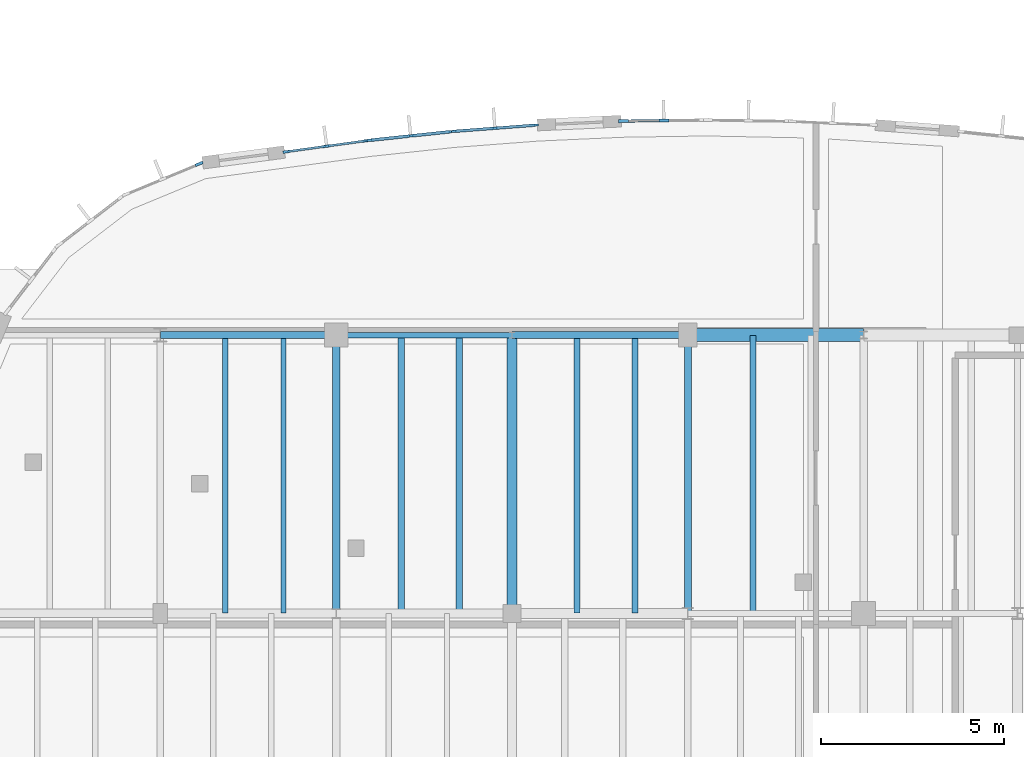
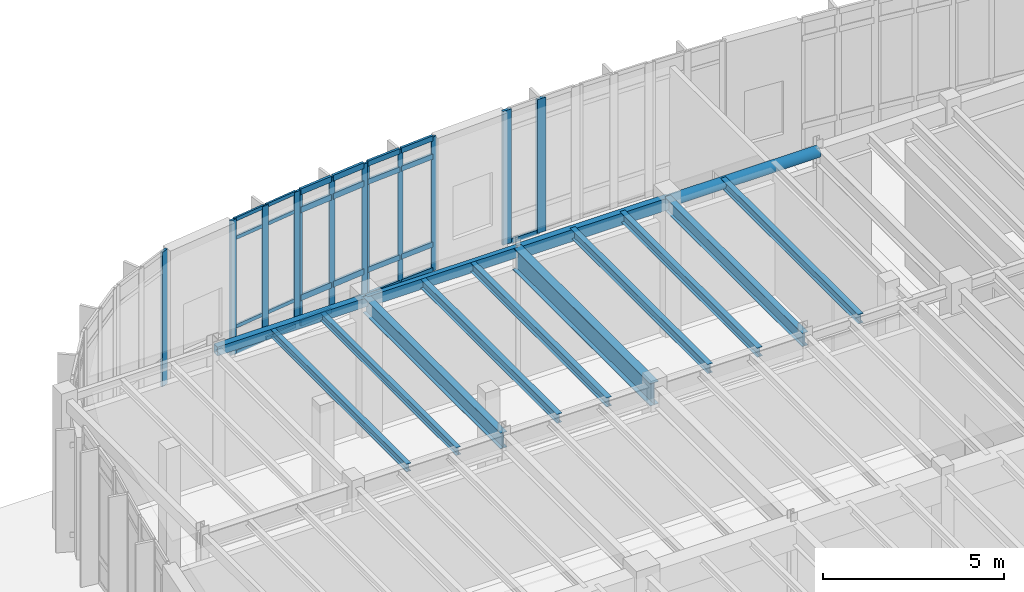
# One storey, part 62 of 120: 37 members, 14 beams, 5 elements without a shape of their own.
"""IFC4 building model written with IfcOpenShell, lengths in metres."""

from ifc_helpers import new_model, si_unit, direction, frame, origin, origin_2d, place, context, subcontext, project, spatial, rectangle, hollow_rectangle, hollow_circle, i_section, extrude, material, material_profile, profile_set, type_object, element, aggregate, save


model = new_model("IFC4")

# Units and contexts
model_context = context("Model", 3, precision=1e-05, world=origin(), true_north=direction((0.0, 1.0)))
body_context = subcontext(model_context, "Body", "Model", "MODEL_VIEW")
ifc_project = project(units=[si_unit("LENGTHUNIT", "METRE"), si_unit("AREAUNIT", "SQUARE_METRE"), si_unit("VOLUMEUNIT", "CUBIC_METRE"), si_unit("PLANEANGLEUNIT", "RADIAN"), si_unit("MASSUNIT", "GRAM", prefix="KILO")], contexts=[model_context])

# Site, building, storey
site_placement = place(None, origin())
site = spatial("IfcSite", under=ifc_project, at=site_placement, CompositionType="ELEMENT")
building_placement = place(site_placement, origin())
building = spatial("IfcBuilding", under=site, at=building_placement, Name="Corveleigh Park Community Centre", CompositionType="ELEMENT")
storey_placement = place(building_placement, origin())
storey = spatial("IfcBuildingStorey", under=building, at=storey_placement, Name="L00", CompositionType="ELEMENT", Elevation=0.0)

# Beams
ifc_material_1 = material(Name="Steel S355", Category="steel")
ifc_material_profile_1 = material_profile(ifc_material_1, i_section(OverallWidth=0.147216796875, OverallDepth=0.259521484375, WebThickness=0.007080078125, FlangeThickness=0.0126953125, at=origin_2d()), Name="UKB 254x146x43", Category="steel")
ifc_profile_set_1 = profile_set([ifc_material_profile_1], Name="Steel S355")
beam_type_1 = type_object("IfcBeamType", Name="BM-STL-UKB254x43", PredefinedType="JOIST", material=ifc_profile_set_1)
for number, where, z_axis, x_axis, name in (
    (1, (136.3759765625, 96.60498046875, 4.397216796875), (0.0, 1.0, 0.0), (-1.0, 0.0, 0.0), "Secondary floor joist"),
    (2, (137.9599609375, 96.60498046875, 4.397216796875), (0.0, 1.0, 0.0), (-1.0, 0.0, 0.0), "Secondary floor joist"),
):
    element("IfcBeam", number, at=place(storey_placement, frame(where, z_axis=z_axis, x_axis=x_axis)), inside=storey, type_object=beam_type_1, Name=name, PredefinedType="JOIST", context=body_context, shape_type="SweptSolid", body=[
        extrude(i_section(OverallWidth=0.147216796875, OverallDepth=0.259521484375, WebThickness=0.007080078125, FlangeThickness=0.0126953125, at=origin_2d()), origin(), (0.0, 0.0, 1.0), 7.590087890625),
    ])
ifc_material_profile_2 = material_profile(ifc_material_1, i_section(OverallWidth=0.1650390625, OverallDepth=0.303466796875, WebThickness=0.006103515625, FlangeThickness=0.01025390625, at=origin_2d()), Name="UKB 305x165x40", Category="steel")
ifc_profile_set_2 = profile_set([ifc_material_profile_2], Name="Steel S355")
beam_type_2 = type_object("IfcBeamType", Name="BM-STL-UKB305x40", PredefinedType="JOIST", material=ifc_profile_set_2)
for number, where, z_axis, x_axis, name in (
    (3, (141.176025390625, 96.60498046875, 4.375244140625), (0.0, 1.0, 0.0), (-1.0, 0.0, 0.0), "Secondary floor joist"),
    (4, (142.760009765625, 96.60498046875, 4.375244140625), (0.0, 1.0, 0.0), (-1.0, 0.0, 0.0), "Secondary floor joist"),
):
    element("IfcBeam", number, at=place(storey_placement, frame(where, z_axis=z_axis, x_axis=x_axis)), inside=storey, type_object=beam_type_2, Name=name, PredefinedType="JOIST", context=body_context, shape_type="SweptSolid", body=[
        extrude(i_section(OverallWidth=0.1650390625, OverallDepth=0.303466796875, WebThickness=0.006103515625, FlangeThickness=0.01025390625, at=origin_2d()), origin(), (0.0, 0.0, 1.0), 7.590087890625),
    ])
ifc_material_profile_3 = material_profile(ifc_material_1, i_section(OverallWidth=0.165771484375, OverallDepth=0.306640625, WebThickness=0.006591796875, FlangeThickness=0.01171875, at=origin_2d()), Name="UKB 305x165x46", Category="steel")
ifc_profile_set_3 = profile_set([ifc_material_profile_3], Name="Steel S355")
beam_type_3 = type_object("IfcBeamType", Name="BM-STL-UKB305x46", PredefinedType="JOIST", material=ifc_profile_set_3)
for number, where, z_axis, x_axis, name in (
    (5, (145.97607421875, 96.60498046875, 4.373779296875), (0.0, 1.0, 0.0), (-1.0, 0.0, 0.0), "Secondary floor joist"),
    (6, (147.56005859375, 96.60498046875, 4.373779296875), (0.0, 1.0, 0.0), (-1.0, 0.0, 0.0), "Secondary floor joist"),
):
    element("IfcBeam", number, at=place(storey_placement, frame(where, z_axis=z_axis, x_axis=x_axis)), inside=storey, type_object=beam_type_3, Name=name, PredefinedType="JOIST", context=body_context, shape_type="SweptSolid", body=[
        extrude(i_section(OverallWidth=0.165771484375, OverallDepth=0.306640625, WebThickness=0.006591796875, FlangeThickness=0.01171875, at=origin_2d()), origin(), (0.0, 0.0, 1.0), 7.590087890625),
    ])
ifc_material_profile_4 = material_profile(ifc_material_1, i_section(OverallWidth=0.1669921875, OverallDepth=0.310302734375, WebThickness=0.0078125, FlangeThickness=0.013671875, at=origin_2d()), Name="UKB 305x165x54", Category="steel")
ifc_profile_set_4 = profile_set([ifc_material_profile_4], Name="Steel S355")
beam_type_4 = type_object("IfcBeamType", Name="BM-STL-UKB305x54", PredefinedType="JOIST", material=ifc_profile_set_4)
beam_1_placement = place(storey_placement, frame((150.77587890625, 96.60498046875, 4.371826171875), z_axis=(0.0, 1.0, 0.0), x_axis=(-1.0, 0.0, 0.0)))
element("IfcBeam", 7, at=beam_1_placement, inside=storey, type_object=beam_type_4, Name="Secondary floor joist", PredefinedType="JOIST", context=body_context, shape_type="SweptSolid", body=[
    extrude(i_section(OverallWidth=0.1669921875, OverallDepth=0.310302734375, WebThickness=0.0078125, FlangeThickness=0.013671875, at=origin_2d()), origin(), (0.0, 0.0, 1.0), 7.590087890625),
])
ifc_material_profile_5 = material_profile(ifc_material_1, i_section(OverallWidth=0.18994140625, OverallDepth=0.453369140625, WebThickness=0.008544921875, FlangeThickness=0.0126953125, at=origin_2d()), Name="UKB 457x191x67", Category="steel")
ifc_profile_set_5 = profile_set([ifc_material_profile_5], Name="Steel S355")
beam_type_5 = type_object("IfcBeamType", Name="BM-STL-UKB457x67", PredefinedType="BEAM", material=ifc_profile_set_5)
beam_2_placement = place(storey_placement, frame((149.0, 96.60498046875, 4.30029296875), z_axis=(0.0, 1.0, 0.0), x_axis=(-1.0, 0.0, 0.0)))
element("IfcBeam", 8, at=beam_2_placement, inside=storey, type_object=beam_type_5, Name="V4 Girder Y", PredefinedType="BEAM", context=body_context, shape_type="SweptSolid", body=[
    extrude(i_section(OverallWidth=0.18994140625, OverallDepth=0.453369140625, WebThickness=0.008544921875, FlangeThickness=0.0126953125, at=origin_2d()), origin(), (0.0, 0.0, 1.0), 7.590087890625),
])
ifc_material_profile_6 = material_profile(ifc_material_1, i_section(OverallWidth=0.2099609375, OverallDepth=0.53662109375, WebThickness=0.0107421875, FlangeThickness=0.017333984375, at=origin_2d()), Name="UKB 533x210x101", Category="steel")
ifc_profile_set_6 = profile_set([ifc_material_profile_6], Name="Steel S355")
beam_type_6 = type_object("IfcBeamType", Name="BM-STL-UKB533x101", PredefinedType="BEAM", material=ifc_profile_set_6)
beam_3_placement = place(storey_placement, frame((139.39990234375, 96.60498046875, 4.2587890625), z_axis=(0.0, 1.0, 0.0), x_axis=(-1.0, 0.0, 0.0)))
element("IfcBeam", 9, at=beam_3_placement, inside=storey, type_object=beam_type_6, Name="V4 Girder Y", PredefinedType="BEAM", context=body_context, shape_type="SweptSolid", body=[
    extrude(i_section(OverallWidth=0.2099609375, OverallDepth=0.53662109375, WebThickness=0.0107421875, FlangeThickness=0.017333984375, at=origin_2d()), origin(), (0.0, 0.0, 1.0), 7.590087890625),
])
ifc_material_profile_7 = material_profile(ifc_material_1, i_section(OverallWidth=0.2666015625, OverallDepth=0.76220703125, WebThickness=0.014404296875, FlangeThickness=0.021484375, at=origin_2d()), Name="UKB 762x267x173", Category="steel")
ifc_profile_set_7 = profile_set([ifc_material_profile_7], Name="Steel S355")
beam_type_7 = type_object("IfcBeamType", Name="BM-STL-UKB762x173", PredefinedType="BEAM", material=ifc_profile_set_7)
beam_4_placement = place(storey_placement, frame((144.199951171875, 96.60498046875, 4.14599609375), z_axis=(0.0, 1.0, 0.0), x_axis=(-1.0, 0.0, 0.0)))
element("IfcBeam", 10, at=beam_4_placement, inside=storey, type_object=beam_type_7, Name="V4 Girder Y", PredefinedType="BEAM", context=body_context, shape_type="SweptSolid", body=[
    extrude(i_section(OverallWidth=0.2666015625, OverallDepth=0.76220703125, WebThickness=0.014404296875, FlangeThickness=0.021484375, at=origin_2d()), origin(), (0.0, 0.0, 1.0), 7.590087890625),
])

# Curtain wall, members
ifc_material_2 = material(Name="Anodised aluminium 6063-T6", Category="aluminium")
curtain_wall_type = type_object("IfcCurtainWallType", Name="CW-SYS-V4-L00", PredefinedType="NOTDEFINED", material=ifc_material_2)
curtain_wall_1_placement = place(storey_placement, origin())
curtain_wall_1 = element("IfcCurtainWall", 11, at=curtain_wall_1_placement, inside=storey, type_object=curtain_wall_type, Name="V4 L00 Curtain Wall 139", PredefinedType="NOTDEFINED")
ifc_material_profile_8 = material_profile(ifc_material_2, rectangle(XDim=0.06005859375, YDim=0.159912109375, at=origin_2d()), Name="ALU-M60x160", Category="aluminium")
ifc_profile_set_8 = profile_set([ifc_material_profile_8], Name="Anodised aluminium 6063-T6")
member_type_1 = type_object("IfcMemberType", Name="CWM-60x160", PredefinedType="MULLION", material=ifc_profile_set_8)
member_1_placement = place(storey_placement, frame((142.621826171875, 109.76318359375, 0.0), z_axis=(0.0, 0.0, 1.0), x_axis=(-0.075527958586, 0.997143684467, 0.0)))
member_1 = element("IfcMember", 12, at=member_1_placement, type_object=member_type_1, Name="CW07 mullion 1", PredefinedType="MULLION", context=body_context, shape_type="SweptSolid", body=[
    extrude(rectangle(XDim=0.06005859375, YDim=0.159912109375, at=origin_2d()), origin(), (0.0, 0.0, 1.0), 4.511962890625),
])
member_2_placement = place(storey_placement, frame((143.73388671875, 109.847412109375, 0.0), z_axis=(0.0, 0.0, 1.0), x_axis=(-0.075527958586, 0.997143684467, 0.0)))
member_2 = element("IfcMember", 13, at=member_2_placement, type_object=member_type_1, Name="CW07 mullion 2", PredefinedType="MULLION", context=body_context, shape_type="SweptSolid", body=[
    extrude(rectangle(XDim=0.06005859375, YDim=0.159912109375, at=origin_2d()), origin(), (0.0, 0.0, 1.0), 4.511962890625),
])
member_3_placement = place(storey_placement, frame((144.84619140625, 109.931640625, 0.0), z_axis=(0.0, 0.0, 1.0), x_axis=(-0.075527958586, 0.997143684467, 0.0)))
member_3 = element("IfcMember", 14, at=member_3_placement, type_object=member_type_1, Name="CW07 mullion 3", PredefinedType="MULLION", context=body_context, shape_type="SweptSolid", body=[
    extrude(rectangle(XDim=0.06005859375, YDim=0.159912109375, at=origin_2d()), origin(), (0.0, 0.0, 1.0), 4.511962890625),
])

curtain_wall_2_placement = place(storey_placement, origin())
curtain_wall_2 = element("IfcCurtainWall", 15, at=curtain_wall_2_placement, inside=storey, type_object=curtain_wall_type, Name="V4 L00 Curtain Wall 140", PredefinedType="NOTDEFINED")
ifc_material_profile_9 = material_profile(ifc_material_2, rectangle(XDim=0.06494140625, YDim=0.179931640625, at=origin_2d()), Name="ALU-M65x180", Category="aluminium")
ifc_profile_set_9 = profile_set([ifc_material_profile_9], Name="Anodised aluminium 6063-T6")
member_type_2 = type_object("IfcMemberType", Name="CWM-65x180", PredefinedType="MULLION", material=ifc_profile_set_9)
member_4_placement = place(storey_placement, frame((140.328369140625, 109.51953125, 0.0), z_axis=(0.0, 0.0, 1.0), x_axis=(-0.106070735992, 0.994358586711, 0.0)))
member_4 = element("IfcMember", 16, at=member_4_placement, type_object=member_type_2, Name="CW07 mullion 1", PredefinedType="MULLION", context=body_context, shape_type="SweptSolid", body=[
    extrude(rectangle(XDim=0.06494140625, YDim=0.179931640625, at=origin_2d()), origin(), (0.0, 0.0, 1.0), 4.511962890625),
])
member_5_placement = place(storey_placement, frame((141.43505859375, 109.637451171875, 0.0), z_axis=(0.0, 0.0, 1.0), x_axis=(-0.106070735992, 0.994358586711, 0.0)))
member_5 = element("IfcMember", 17, at=member_5_placement, type_object=member_type_2, Name="CW07 mullion 2", PredefinedType="MULLION", context=body_context, shape_type="SweptSolid", body=[
    extrude(rectangle(XDim=0.06494140625, YDim=0.179931640625, at=origin_2d()), origin(), (0.0, 0.0, 1.0), 4.511962890625),
])
member_6_placement = place(storey_placement, frame((142.541748046875, 109.755615234375, 0.0), z_axis=(0.0, 0.0, 1.0), x_axis=(-0.106070735992, 0.994358586711, 0.0)))
member_6 = element("IfcMember", 18, at=member_6_placement, type_object=member_type_2, Name="CW07 mullion 3", PredefinedType="MULLION", context=body_context, shape_type="SweptSolid", body=[
    extrude(rectangle(XDim=0.06494140625, YDim=0.179931640625, at=origin_2d()), origin(), (0.0, 0.0, 1.0), 4.511962890625),
])

curtain_wall_3_placement = place(storey_placement, origin())
curtain_wall_3 = element("IfcCurtainWall", 19, at=curtain_wall_3_placement, inside=storey, type_object=curtain_wall_type, Name="V4 L00 Curtain Wall 141", PredefinedType="NOTDEFINED")
ifc_material_profile_10 = material_profile(ifc_material_2, rectangle(XDim=0.070068359375, YDim=0.199951171875, at=origin_2d()), Name="ALU-M70x200", Category="aluminium")
ifc_profile_set_10 = profile_set([ifc_material_profile_10], Name="Anodised aluminium 6063-T6")
member_type_3 = type_object("IfcMemberType", Name="CWM-70x200", PredefinedType="MULLION", material=ifc_profile_set_10)
member_7_placement = place(storey_placement, frame((138.041748046875, 109.205810546875, 0.0), z_axis=(0.0, 0.0, 1.0), x_axis=(-0.136534069852, 0.990635375791, 0.0)))
member_7 = element("IfcMember", 20, at=member_7_placement, type_object=member_type_3, Name="CW07 mullion 1", PredefinedType="MULLION", context=body_context, shape_type="SweptSolid", body=[
    extrude(rectangle(XDim=0.070068359375, YDim=0.199951171875, at=origin_2d()), origin(), (0.0, 0.0, 1.0), 4.537109375),
])
member_8_placement = place(storey_placement, frame((139.142578125, 109.357421875, 0.0), z_axis=(0.0, 0.0, 1.0), x_axis=(-0.136534069852, 0.990635375791, 0.0)))
member_8 = element("IfcMember", 21, at=member_8_placement, type_object=member_type_3, Name="CW07 mullion 2", PredefinedType="MULLION", context=body_context, shape_type="SweptSolid", body=[
    extrude(rectangle(XDim=0.070068359375, YDim=0.199951171875, at=origin_2d()), origin(), (0.0, 0.0, 1.0), 4.537109375),
])
member_9_placement = place(storey_placement, frame((140.243408203125, 109.50927734375, 0.0), z_axis=(0.0, 0.0, 1.0), x_axis=(-0.136534069852, 0.990635375791, 0.0)))
member_9 = element("IfcMember", 22, at=member_9_placement, type_object=member_type_3, Name="CW07 mullion 3", PredefinedType="MULLION", context=body_context, shape_type="SweptSolid", body=[
    extrude(rectangle(XDim=0.070068359375, YDim=0.199951171875, at=origin_2d()), origin(), (0.0, 0.0, 1.0), 4.537109375),
])

# Curtain wall, member
curtain_wall_4_placement = place(storey_placement, origin())
curtain_wall_4 = element("IfcCurtainWall", 23, at=curtain_wall_4_placement, inside=storey, type_object=curtain_wall_type, Name="V4 L00 Curtain Wall 142", PredefinedType="NOTDEFINED")
ifc_material_profile_11 = material_profile(ifc_material_2, rectangle(XDim=0.074951171875, YDim=0.219970703125, at=origin_2d()), Name="ALU-M75x220", Category="aluminium")
ifc_profile_set_11 = profile_set([ifc_material_profile_11], Name="Anodised aluminium 6063-T6")
member_type_4 = type_object("IfcMemberType", Name="CWM-75x220", PredefinedType="MULLION", material=ifc_profile_set_11)
member_10_placement = place(storey_placement, frame((135.657470703125, 108.87353515625, 0.0), z_axis=(0.0, 0.0, 1.0), x_axis=(-0.383024346152, 0.923738247695, 0.0)))
member_10 = element("IfcMember", 24, at=member_10_placement, type_object=member_type_4, Name="CW07 mullion 3", PredefinedType="MULLION", context=body_context, shape_type="SweptSolid", body=[
    extrude(rectangle(XDim=0.074951171875, YDim=0.219970703125, at=origin_2d()), origin(), (0.0, 0.0, 1.0), 4.537109375),
])
aggregate(curtain_wall_4, [member_10])

# Curtain wall, members
curtain_wall_5_placement = place(storey_placement, origin())
curtain_wall_5 = element("IfcCurtainWall", 25, at=curtain_wall_5_placement, inside=storey, type_object=curtain_wall_type, Name="V4 L00 Curtain Wall 138", PredefinedType="NOTDEFINED")
ifc_material_profile_12 = material_profile(ifc_material_2, rectangle(XDim=0.0849609375, YDim=0.27490234375, at=origin_2d()), Name="ALU-M85x275", Category="aluminium")
ifc_profile_set_12 = profile_set([ifc_material_profile_12], Name="Anodised aluminium 6063-T6")
member_type_5 = type_object("IfcMemberType", Name="CWM-85x275", PredefinedType="MULLION", material=ifc_profile_set_12)
member_11_placement = place(storey_placement, frame((147.242431640625, 110.040771484375, 0.0), z_axis=(0.0, 0.0, 1.0), x_axis=(-0.01571172252, 0.999876563269, 0.0)))
member_11 = element("IfcMember", 26, at=member_11_placement, type_object=member_type_5, Name="CW07 mullion 1", PredefinedType="MULLION", context=body_context, shape_type="SweptSolid", body=[
    extrude(rectangle(XDim=0.0849609375, YDim=0.27490234375, at=origin_2d()), origin(), (0.0, 0.0, 1.0), 4.511962890625),
])
member_12_placement = place(storey_placement, frame((148.345458984375, 110.05810546875, 0.0), z_axis=(0.0, 0.0, 1.0), x_axis=(-0.01571172252, 0.999876563269, 0.0)))
member_12 = element("IfcMember", 27, at=member_12_placement, type_object=member_type_5, Name="CW07 mullion 2", PredefinedType="MULLION", context=body_context, shape_type="SweptSolid", body=[
    extrude(rectangle(XDim=0.0849609375, YDim=0.27490234375, at=origin_2d()), origin(), (0.0, 0.0, 1.0), 4.511962890625),
])

# Member
ifc_material_profile_13 = material_profile(ifc_material_2, rectangle(XDim=0.06005859375, YDim=0.1201171875, at=origin_2d()), Name="ALU-T60x120", Category="aluminium")
ifc_profile_set_13 = profile_set([ifc_material_profile_13], Name="Anodised aluminium 6063-T6")
member_type_6 = type_object("IfcMemberType", Name="CWT-60x120", PredefinedType="USERDEFINED", material=ifc_profile_set_13)
member_13_placement = place(storey_placement, frame((138.076416015625, 109.21044921875, 0.030029296875), z_axis=(0.990613467229, 0.136692935241, 0.0), x_axis=(-0.136692935241, 0.990613467229, 0.0)))
member_13 = element("IfcMember", 28, at=member_13_placement, type_object=member_type_6, Name="CW07 transom 1.1", ObjectType="TRANSOM", PredefinedType="USERDEFINED", context=body_context, shape_type="SweptSolid", body=[
    extrude(rectangle(XDim=0.06005859375, YDim=0.1201171875, at=origin_2d()), origin(), (0.0, 0.0, 1.0), 1.041259765625),
])

member_14_placement = place(storey_placement, frame((138.076416015625, 109.21044921875, 0.89990234375), z_axis=(0.990613467229, 0.136692935241, 0.0), x_axis=(-0.136692935241, 0.990613467229, 0.0)))
member_14 = element("IfcMember", 29, at=member_14_placement, type_object=member_type_6, Name="CW07 transom 1.2", ObjectType="TRANSOM", PredefinedType="USERDEFINED", context=body_context, shape_type="SweptSolid", body=[
    extrude(rectangle(XDim=0.06005859375, YDim=0.1201171875, at=origin_2d()), origin(), (0.0, 0.0, 1.0), 1.041259765625),
])

member_15_placement = place(storey_placement, frame((138.076416015625, 109.21044921875, 3.886962890625), z_axis=(0.990613467229, 0.136692935241, 0.0), x_axis=(-0.136692935241, 0.990613467229, 0.0)))
member_15 = element("IfcMember", 30, at=member_15_placement, type_object=member_type_6, Name="CW07 transom 1.3", ObjectType="TRANSOM", PredefinedType="USERDEFINED", context=body_context, shape_type="SweptSolid", body=[
    extrude(rectangle(XDim=0.06005859375, YDim=0.1201171875, at=origin_2d()), origin(), (0.0, 0.0, 1.0), 1.041259765625),
])

member_16_placement = place(storey_placement, frame((138.076416015625, 109.21044921875, 4.507080078125), z_axis=(0.990613467229, 0.136692935241, 0.0), x_axis=(-0.136692935241, 0.990613467229, 0.0)))
member_16 = element("IfcMember", 31, at=member_16_placement, type_object=member_type_6, Name="CW07 transom 1.4", ObjectType="TRANSOM", PredefinedType="USERDEFINED", context=body_context, shape_type="SweptSolid", body=[
    extrude(rectangle(XDim=0.06005859375, YDim=0.1201171875, at=origin_2d()), origin(), (0.0, 0.0, 1.0), 1.041259765625),
])

member_17_placement = place(storey_placement, frame((139.17724609375, 109.3623046875, 0.030029296875), z_axis=(0.99064519036, 0.136462840424, 0.0), x_axis=(-0.136462840424, 0.99064519036, 0.0)))
member_17 = element("IfcMember", 32, at=member_17_placement, type_object=member_type_6, Name="CW07 transom 2.1", ObjectType="TRANSOM", PredefinedType="USERDEFINED", context=body_context, shape_type="SweptSolid", body=[
    extrude(rectangle(XDim=0.06005859375, YDim=0.1201171875, at=origin_2d()), origin(), (0.0, 0.0, 1.0), 1.041259765625),
])

member_18_placement = place(storey_placement, frame((139.17724609375, 109.3623046875, 0.89990234375), z_axis=(0.99064519036, 0.136462840424, 0.0), x_axis=(-0.136462840424, 0.99064519036, 0.0)))
member_18 = element("IfcMember", 33, at=member_18_placement, type_object=member_type_6, Name="CW07 transom 2.2", ObjectType="TRANSOM", PredefinedType="USERDEFINED", context=body_context, shape_type="SweptSolid", body=[
    extrude(rectangle(XDim=0.06005859375, YDim=0.1201171875, at=origin_2d()), origin(), (0.0, 0.0, 1.0), 1.041259765625),
])

member_19_placement = place(storey_placement, frame((139.17724609375, 109.3623046875, 3.886962890625), z_axis=(0.99064519036, 0.136462840424, 0.0), x_axis=(-0.136462840424, 0.99064519036, 0.0)))
member_19 = element("IfcMember", 34, at=member_19_placement, type_object=member_type_6, Name="CW07 transom 2.3", ObjectType="TRANSOM", PredefinedType="USERDEFINED", context=body_context, shape_type="SweptSolid", body=[
    extrude(rectangle(XDim=0.06005859375, YDim=0.1201171875, at=origin_2d()), origin(), (0.0, 0.0, 1.0), 1.041259765625),
])

member_20_placement = place(storey_placement, frame((139.17724609375, 109.3623046875, 4.507080078125), z_axis=(0.99064519036, 0.136462840424, 0.0), x_axis=(-0.136462840424, 0.99064519036, 0.0)))
member_20 = element("IfcMember", 35, at=member_20_placement, type_object=member_type_6, Name="CW07 transom 2.4", ObjectType="TRANSOM", PredefinedType="USERDEFINED", context=body_context, shape_type="SweptSolid", body=[
    extrude(rectangle(XDim=0.06005859375, YDim=0.1201171875, at=origin_2d()), origin(), (0.0, 0.0, 1.0), 1.041259765625),
])

aggregate(curtain_wall_3, [member_7, member_8, member_9, member_13, member_14, member_15, member_16, member_17, member_18, member_19, member_20])

ifc_material_profile_14 = material_profile(ifc_material_2, rectangle(XDim=0.070068359375, YDim=0.155029296875, at=origin_2d()), Name="ALU-T70x155", Category="aluminium")
ifc_profile_set_14 = profile_set([ifc_material_profile_14], Name="Anodised aluminium 6063-T6")
member_type_7 = type_object("IfcMemberType", Name="CWT-70x155", PredefinedType="USERDEFINED", material=ifc_profile_set_14)
member_21_placement = place(storey_placement, frame((147.284912109375, 110.041259765625, 0.034912109375), z_axis=(0.999874771211, 0.015825356091, 0.0), x_axis=(-0.015825356091, 0.999874771211, 0.0)))
member_21 = element("IfcMember", 36, at=member_21_placement, type_object=member_type_7, Name="CW07 transom 1.1", ObjectType="TRANSOM", PredefinedType="USERDEFINED", context=body_context, shape_type="SweptSolid", body=[
    extrude(rectangle(XDim=0.070068359375, YDim=0.155029296875, at=origin_2d()), origin(), (0.0, 0.0, 1.0), 1.018310546875),
])

aggregate(curtain_wall_5, [member_11, member_12, member_21])

ifc_material_profile_15 = material_profile(ifc_material_2, rectangle(XDim=0.074951171875, YDim=0.175048828125, at=origin_2d()), Name="ALU-T75x175", Category="aluminium")
ifc_profile_set_15 = profile_set([ifc_material_profile_15], Name="Anodised aluminium 6063-T6")
member_type_8 = type_object("IfcMemberType", Name="CWT-75x175", PredefinedType="USERDEFINED", material=ifc_profile_set_15)
member_22_placement = place(storey_placement, frame((142.65185546875, 109.765625, 0.03759765625), z_axis=(0.997151658573, 0.07542260805, 0.0), x_axis=(-0.07542260805, 0.997151658573, 0.0)))
member_22 = element("IfcMember", 37, at=member_22_placement, type_object=member_type_8, Name="CW07 transom 1.1", ObjectType="TRANSOM", PredefinedType="USERDEFINED", context=body_context, shape_type="SweptSolid", body=[
    extrude(rectangle(XDim=0.074951171875, YDim=0.175048828125, at=origin_2d()), origin(), (0.0, 0.0, 1.0), 1.05517578125),
])

member_23_placement = place(storey_placement, frame((142.65185546875, 109.765625, 0.89990234375), z_axis=(0.997151658573, 0.07542260805, 0.0), x_axis=(-0.07542260805, 0.997151658573, 0.0)))
member_23 = element("IfcMember", 38, at=member_23_placement, type_object=member_type_8, Name="CW07 transom 1.2", ObjectType="TRANSOM", PredefinedType="USERDEFINED", context=body_context, shape_type="SweptSolid", body=[
    extrude(rectangle(XDim=0.074951171875, YDim=0.175048828125, at=origin_2d()), origin(), (0.0, 0.0, 1.0), 1.05517578125),
])

member_24_placement = place(storey_placement, frame((142.65185546875, 109.765625, 3.862060546875), z_axis=(0.997151658573, 0.07542260805, 0.0), x_axis=(-0.07542260805, 0.997151658573, 0.0)))
member_24 = element("IfcMember", 39, at=member_24_placement, type_object=member_type_8, Name="CW07 transom 1.3", ObjectType="TRANSOM", PredefinedType="USERDEFINED", context=body_context, shape_type="SweptSolid", body=[
    extrude(rectangle(XDim=0.074951171875, YDim=0.175048828125, at=origin_2d()), origin(), (0.0, 0.0, 1.0), 1.05517578125),
])

member_25_placement = place(storey_placement, frame((142.65185546875, 109.765625, 4.474609375), z_axis=(0.997151658573, 0.07542260805, 0.0), x_axis=(-0.07542260805, 0.997151658573, 0.0)))
member_25 = element("IfcMember", 40, at=member_25_placement, type_object=member_type_8, Name="CW07 transom 1.4", ObjectType="TRANSOM", PredefinedType="USERDEFINED", context=body_context, shape_type="SweptSolid", body=[
    extrude(rectangle(XDim=0.074951171875, YDim=0.175048828125, at=origin_2d()), origin(), (0.0, 0.0, 1.0), 1.05517578125),
])

member_26_placement = place(storey_placement, frame((143.763916015625, 109.849853515625, 0.03759765625), z_axis=(0.997151658573, 0.07542260805, 0.0), x_axis=(-0.07542260805, 0.997151658573, 0.0)))
member_26 = element("IfcMember", 41, at=member_26_placement, type_object=member_type_8, Name="CW07 transom 2.1", ObjectType="TRANSOM", PredefinedType="USERDEFINED", context=body_context, shape_type="SweptSolid", body=[
    extrude(rectangle(XDim=0.074951171875, YDim=0.175048828125, at=origin_2d()), origin(), (0.0, 0.0, 1.0), 1.05517578125),
])

member_27_placement = place(storey_placement, frame((143.763916015625, 109.849853515625, 0.89990234375), z_axis=(0.997151658573, 0.07542260805, 0.0), x_axis=(-0.07542260805, 0.997151658573, 0.0)))
member_27 = element("IfcMember", 42, at=member_27_placement, type_object=member_type_8, Name="CW07 transom 2.2", ObjectType="TRANSOM", PredefinedType="USERDEFINED", context=body_context, shape_type="SweptSolid", body=[
    extrude(rectangle(XDim=0.074951171875, YDim=0.175048828125, at=origin_2d()), origin(), (0.0, 0.0, 1.0), 1.05517578125),
])

member_28_placement = place(storey_placement, frame((143.763916015625, 109.849853515625, 3.862060546875), z_axis=(0.997151658573, 0.07542260805, 0.0), x_axis=(-0.07542260805, 0.997151658573, 0.0)))
member_28 = element("IfcMember", 43, at=member_28_placement, type_object=member_type_8, Name="CW07 transom 2.3", ObjectType="TRANSOM", PredefinedType="USERDEFINED", context=body_context, shape_type="SweptSolid", body=[
    extrude(rectangle(XDim=0.074951171875, YDim=0.175048828125, at=origin_2d()), origin(), (0.0, 0.0, 1.0), 1.05517578125),
])

member_29_placement = place(storey_placement, frame((143.763916015625, 109.849853515625, 4.474609375), z_axis=(0.997151658573, 0.07542260805, 0.0), x_axis=(-0.07542260805, 0.997151658573, 0.0)))
member_29 = element("IfcMember", 44, at=member_29_placement, type_object=member_type_8, Name="CW07 transom 2.4", ObjectType="TRANSOM", PredefinedType="USERDEFINED", context=body_context, shape_type="SweptSolid", body=[
    extrude(rectangle(XDim=0.074951171875, YDim=0.175048828125, at=origin_2d()), origin(), (0.0, 0.0, 1.0), 1.05517578125),
])

aggregate(curtain_wall_1, [member_1, member_2, member_3, member_22, member_23, member_24, member_25, member_26, member_27, member_28, member_29])

ifc_material_profile_16 = material_profile(ifc_material_2, rectangle(XDim=0.080078125, YDim=0.195068359375, at=origin_2d()), Name="ALU-T80x195", Category="aluminium")
ifc_profile_set_16 = profile_set([ifc_material_profile_16], Name="Anodised aluminium 6063-T6")
member_type_9 = type_object("IfcMemberType", Name="CWT-80x195", PredefinedType="USERDEFINED", material=ifc_profile_set_16)
member_30_placement = place(storey_placement, frame((140.360595703125, 109.52294921875, 0.0400390625), z_axis=(0.994365423695, 0.106006623191, 0.0), x_axis=(-0.106006623191, 0.994365423695, 0.0)))
member_30 = element("IfcMember", 45, at=member_30_placement, type_object=member_type_9, Name="CW07 transom 1.1", ObjectType="TRANSOM", PredefinedType="USERDEFINED", context=body_context, shape_type="SweptSolid", body=[
    extrude(rectangle(XDim=0.080078125, YDim=0.195068359375, at=origin_2d()), origin(), (0.0, 0.0, 1.0), 1.0478515625),
])

member_31_placement = place(storey_placement, frame((140.360595703125, 109.52294921875, 0.89990234375), z_axis=(0.994365423695, 0.106006623191, 0.0), x_axis=(-0.106006623191, 0.994365423695, 0.0)))
member_31 = element("IfcMember", 46, at=member_31_placement, type_object=member_type_9, Name="CW07 transom 1.2", ObjectType="TRANSOM", PredefinedType="USERDEFINED", context=body_context, shape_type="SweptSolid", body=[
    extrude(rectangle(XDim=0.080078125, YDim=0.195068359375, at=origin_2d()), origin(), (0.0, 0.0, 1.0), 1.0478515625),
])

member_32_placement = place(storey_placement, frame((140.360595703125, 109.52294921875, 3.862060546875), z_axis=(0.994365423695, 0.106006623191, 0.0), x_axis=(-0.106006623191, 0.994365423695, 0.0)))
member_32 = element("IfcMember", 47, at=member_32_placement, type_object=member_type_9, Name="CW07 transom 1.3", ObjectType="TRANSOM", PredefinedType="USERDEFINED", context=body_context, shape_type="SweptSolid", body=[
    extrude(rectangle(XDim=0.080078125, YDim=0.195068359375, at=origin_2d()), origin(), (0.0, 0.0, 1.0), 1.0478515625),
])

member_33_placement = place(storey_placement, frame((140.360595703125, 109.52294921875, 4.471923828125), z_axis=(0.994365423695, 0.106006623191, 0.0), x_axis=(-0.106006623191, 0.994365423695, 0.0)))
member_33 = element("IfcMember", 48, at=member_33_placement, type_object=member_type_9, Name="CW07 transom 1.4", ObjectType="TRANSOM", PredefinedType="USERDEFINED", context=body_context, shape_type="SweptSolid", body=[
    extrude(rectangle(XDim=0.080078125, YDim=0.195068359375, at=origin_2d()), origin(), (0.0, 0.0, 1.0), 1.0478515625),
])

member_34_placement = place(storey_placement, frame((141.46728515625, 109.640869140625, 0.0400390625), z_axis=(0.994340839188, 0.106236978133, 0.0), x_axis=(-0.106236978133, 0.994340839188, 0.0)))
member_34 = element("IfcMember", 49, at=member_34_placement, type_object=member_type_9, Name="CW07 transom 2.1", ObjectType="TRANSOM", PredefinedType="USERDEFINED", context=body_context, shape_type="SweptSolid", body=[
    extrude(rectangle(XDim=0.080078125, YDim=0.195068359375, at=origin_2d()), origin(), (0.0, 0.0, 1.0), 1.0478515625),
])

member_35_placement = place(storey_placement, frame((141.46728515625, 109.640869140625, 0.89990234375), z_axis=(0.994340839188, 0.106236978133, 0.0), x_axis=(-0.106236978133, 0.994340839188, 0.0)))
member_35 = element("IfcMember", 50, at=member_35_placement, type_object=member_type_9, Name="CW07 transom 2.2", ObjectType="TRANSOM", PredefinedType="USERDEFINED", context=body_context, shape_type="SweptSolid", body=[
    extrude(rectangle(XDim=0.080078125, YDim=0.195068359375, at=origin_2d()), origin(), (0.0, 0.0, 1.0), 1.0478515625),
])

member_36_placement = place(storey_placement, frame((141.46728515625, 109.640869140625, 3.862060546875), z_axis=(0.994340839188, 0.106236978133, 0.0), x_axis=(-0.106236978133, 0.994340839188, 0.0)))
member_36 = element("IfcMember", 51, at=member_36_placement, type_object=member_type_9, Name="CW07 transom 2.3", ObjectType="TRANSOM", PredefinedType="USERDEFINED", context=body_context, shape_type="SweptSolid", body=[
    extrude(rectangle(XDim=0.080078125, YDim=0.195068359375, at=origin_2d()), origin(), (0.0, 0.0, 1.0), 1.0478515625),
])

member_37_placement = place(storey_placement, frame((141.46728515625, 109.640869140625, 4.471923828125), z_axis=(0.994340839188, 0.106236978133, 0.0), x_axis=(-0.106236978133, 0.994340839188, 0.0)))
member_37 = element("IfcMember", 52, at=member_37_placement, type_object=member_type_9, Name="CW07 transom 2.4", ObjectType="TRANSOM", PredefinedType="USERDEFINED", context=body_context, shape_type="SweptSolid", body=[
    extrude(rectangle(XDim=0.080078125, YDim=0.195068359375, at=origin_2d()), origin(), (0.0, 0.0, 1.0), 1.0478515625),
])

aggregate(curtain_wall_2, [member_4, member_5, member_6, member_30, member_31, member_32, member_33, member_34, member_35, member_36, member_37])

# Beams
ifc_material_profile_17 = material_profile(ifc_material_1, hollow_circle(Radius=0.177734375, WallThickness=0.01611328125, at=origin_2d()), Name="CHS 355.6x16.0", Category="steel")
ifc_profile_set_17 = profile_set([ifc_material_profile_17], Name="Steel S355")
beam_type_8 = type_object("IfcBeamType", Name="SP-STL-CHS356R", PredefinedType="SPANDREL", material=ifc_profile_set_17)
beam_5_placement = place(storey_placement, frame((149.0048828125, 104.199951171875, 4.34912109375), z_axis=(1.0, 0.0, 0.0), x_axis=(0.0, 1.0, 0.0)))
element("IfcBeam", 53, at=beam_5_placement, inside=storey, type_object=beam_type_8, Name="V4 Girder X", PredefinedType="SPANDREL", context=body_context, shape_type="SweptSolid", body=[
    extrude(hollow_circle(Radius=0.177734375, WallThickness=0.01611328125, at=origin_2d()), origin(), (0.0, 0.0, 1.0), 4.7900390625),
])
ifc_material_profile_18 = material_profile(ifc_material_1, hollow_rectangle(XDim=0.199951171875, YDim=0.300048828125, WallThickness=0.012451171875, at=origin_2d()), Name="RHS 300x200x12.5", Category="steel")
ifc_profile_set_18 = profile_set([ifc_material_profile_18], Name="Steel S355")
beam_type_9 = type_object("IfcBeamType", Name="SP-STL-RHS300x200", PredefinedType="SPANDREL", material=ifc_profile_set_18)
beam_6_placement = place(storey_placement, frame((134.60498046875, 104.199951171875, 4.376953125), z_axis=(1.0, 0.0, 0.0), x_axis=(0.0, 1.0, 0.0)))
element("IfcBeam", 54, at=beam_6_placement, inside=storey, type_object=beam_type_9, Name="V4 Girder X", PredefinedType="SPANDREL", context=body_context, shape_type="SweptSolid", body=[
    extrude(hollow_rectangle(XDim=0.199951171875, YDim=0.300048828125, WallThickness=0.012451171875, at=origin_2d()), origin(), (0.0, 0.0, 1.0), 4.7900390625),
])
ifc_material_profile_19 = material_profile(ifc_material_1, hollow_rectangle(XDim=0.14990234375, YDim=0.35009765625, WallThickness=0.012451171875, at=origin_2d()), Name="RHS 350x150x12.5", Category="steel")
ifc_profile_set_19 = profile_set([ifc_material_profile_19], Name="Steel S355")
beam_type_10 = type_object("IfcBeamType", Name="SP-STL-RHS350x150", PredefinedType="SPANDREL", material=ifc_profile_set_19)
beam_7_placement = place(storey_placement, frame((139.405029296875, 104.199951171875, 4.35205078125), z_axis=(1.0, 0.0, 0.0), x_axis=(0.0, 1.0, 0.0)))
element("IfcBeam", 55, at=beam_7_placement, inside=storey, type_object=beam_type_10, Name="V4 Girder X", PredefinedType="SPANDREL", context=body_context, shape_type="SweptSolid", body=[
    extrude(hollow_rectangle(XDim=0.14990234375, YDim=0.35009765625, WallThickness=0.012451171875, at=origin_2d()), origin(), (0.0, 0.0, 1.0), 4.7900390625),
])
ifc_material_profile_20 = material_profile(ifc_material_1, hollow_rectangle(XDim=0.199951171875, YDim=0.39990234375, WallThickness=0.012451171875, at=origin_2d()), Name="RHS 400x200x12.5", Category="steel")
ifc_profile_set_20 = profile_set([ifc_material_profile_20], Name="Steel S355")
beam_type_11 = type_object("IfcBeamType", Name="SP-STL-RHS400x200", PredefinedType="SPANDREL", material=ifc_profile_set_20)
beam_8_placement = place(storey_placement, frame((144.205078125, 104.199951171875, 4.326904296875), z_axis=(1.0, 0.0, 0.0), x_axis=(0.0, 1.0, 0.0)))
element("IfcBeam", 56, at=beam_8_placement, inside=storey, type_object=beam_type_11, Name="V4 Girder X", PredefinedType="SPANDREL", context=body_context, shape_type="SweptSolid", body=[
    extrude(hollow_rectangle(XDim=0.199951171875, YDim=0.39990234375, WallThickness=0.012451171875, at=origin_2d()), origin(), (0.0, 0.0, 1.0), 4.7900390625),
])

save(model, "model.ifc")
